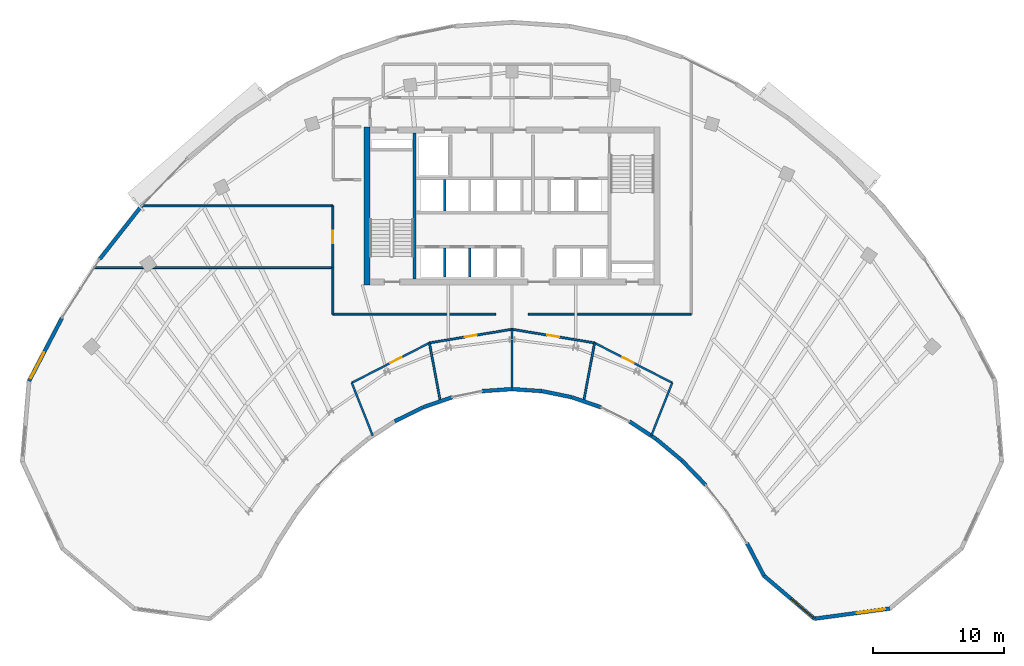
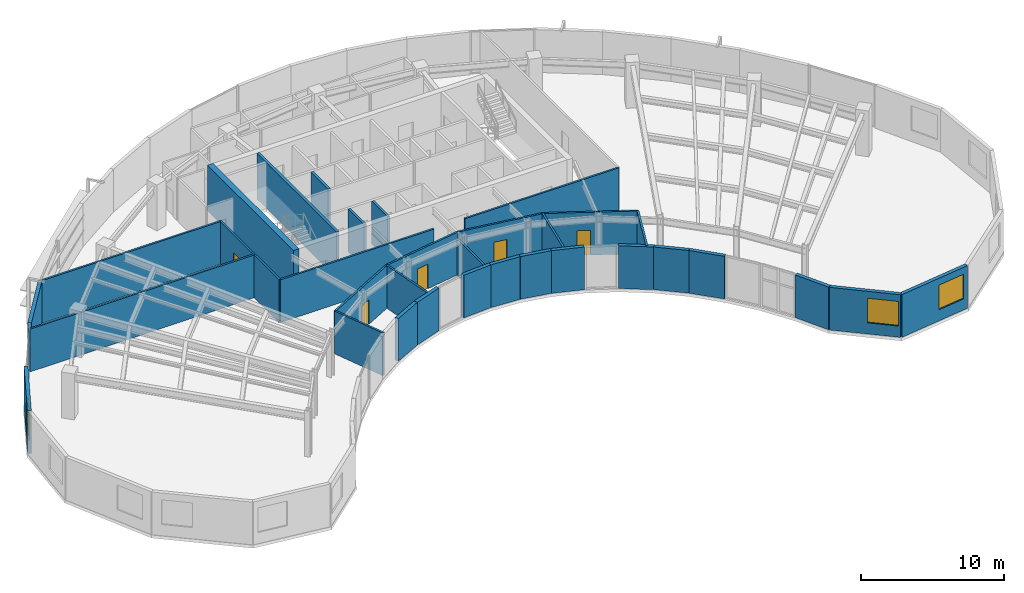
# One storey, part 8 of 13: 34 walls, 5 doors, 3 windows, 8 openings.
"""IFC4 building model written with IfcOpenShell, lengths in metres."""

from ifc_helpers import new_model, si_unit, direction, frame, frame_2d, origin, place, context, subcontext, project, spatial, rectangle, extrude, source, transform, mapped, material, layer, layer_set, type_object, type_shapes, element, fill, save


model = new_model("IFC4")

# Units and contexts
model_context = context("Model", 3, precision=1e-05, world=origin(), true_north=direction((0.0, 1.0)))
body_context = subcontext(model_context, "Body", "Model", "MODEL_VIEW")
ifc_project = project(units=[si_unit("LENGTHUNIT", "METRE"), si_unit("AREAUNIT", "SQUARE_METRE"), si_unit("VOLUMEUNIT", "CUBIC_METRE"), si_unit("PLANEANGLEUNIT", "RADIAN"), si_unit("MASSUNIT", "GRAM", prefix="KILO")], contexts=[model_context])

# Site, building, storey
site_placement = place(None, origin())
site = spatial("IfcSite", under=ifc_project, at=site_placement, CompositionType="ELEMENT")
building_placement = place(site_placement, origin())
building = spatial("IfcBuilding", under=site, at=building_placement, Name="Breltana Convention Tower", CompositionType="ELEMENT")
storey_placement = place(building_placement, frame((0.0, 0.0, 204.0)))
storey = spatial("IfcBuildingStorey", under=building, at=storey_placement, Name="L49", CompositionType="ELEMENT", Elevation=204.0)

# Walls
ifc_material_1 = material(Name="Concrete C60/75", Category="concrete")
ifc_layer_1 = layer(ifc_material_1, 0.449951171875, Name="Concrete C60/75")
ifc_layer_set_1 = layer_set([ifc_layer_1], Name="Concrete C60/75")
wall_type_1 = type_object("IfcWallType", Name="SW-CORE-450", PredefinedType="SHEAR", material=ifc_layer_set_1)
shared_shape_1 = source(origin(), body_context, "Body", "SweptSolid", [
    extrude(rectangle(XDim=12.0, YDim=0.449951171875, at=frame_2d((6.0, 0.0))), origin(), (0.0, 0.0, 1.0), 3.89990234375),
])
wall_1_placement = place(storey_placement, frame((36.97509765625, 60.199951171875, 0.0), z_axis=(0.0, 0.0, 1.0), x_axis=(0.0, 1.0, 0.0)))
element("IfcWall", 1, at=wall_1_placement, inside=storey, type_object=wall_type_1, Name="L49 West Core Shear Wall", PredefinedType="SHEAR", context=body_context, shape_type="MappedRepresentation", body=[
    mapped(shared_shape_1, transform((0.0, 0.0, 0.0), scale=1.0)),
])
ifc_material_2 = material(Name="Concrete C50/60", Category="concrete")
ifc_layer_2 = layer(ifc_material_2, 0.39990234375, Name="Concrete C50/60")
ifc_layer_set_2 = layer_set([ifc_layer_2], Name="Concrete C50/60")
wall_type_2 = type_object("IfcWallType", Name="SW-CORE-400", PredefinedType="SHEAR", material=ifc_layer_set_2)
shared_shape_2 = source(origin(), body_context, "Body", "SweptSolid", [
    extrude(rectangle(XDim=11.10009765625, YDim=0.219970703125, at=frame_2d((5.550048828125, 0.0))), origin(), (0.0, 0.0, 1.0), 3.89990234375),
])
wall_2_placement = place(storey_placement, frame((40.580078125, 60.64990234375, 0.0), z_axis=(0.0, 0.0, 1.0), x_axis=(0.0, 1.0, 0.0)))
element("IfcWall", 2, at=wall_2_placement, inside=storey, type_object=wall_type_2, Name="L49 Core West Stair Spine Wall", PredefinedType="SHEAR", context=body_context, shape_type="MappedRepresentation", body=[
    mapped(shared_shape_2, transform((0.0, 0.0, 0.0), scale=1.0)),
])

# Wall, opening, window
ifc_material_3 = material(Name="Limestone Buff Insulated Wall", Category="masonry")
ifc_layer_3 = layer(ifc_material_3, 0.280029296875, Name="Limestone Buff Insulated Wall")
ifc_layer_set_3 = layer_set([ifc_layer_3], Name="Limestone Buff Insulated Wall")
wall_type_3 = type_object("IfcWallType", Name="WL-EXT-NOSE-280", PredefinedType="SOLIDWALL", material=ifc_layer_set_3)
shared_shape_3 = source(origin(), body_context, "Body", "SweptSolid", [
    extrude(rectangle(XDim=5.771240234375, YDim=0.280029296875, at=frame_2d((2.8857421875, 0.0))), origin(), (0.0, 0.0, 1.0), 3.639892578125),
])
wall_3_placement = place(storey_placement, frame((76.74951171875, 35.559814453125, 0.0), z_axis=(0.0, 0.0, 1.0), x_axis=(-0.990933615537, -0.134352408237, 0.0)))
wall_3 = element("IfcWall", 3, at=wall_3_placement, inside=storey, type_object=wall_type_3, Name="L49 curved limestone nose wall E4", PredefinedType="SOLIDWALL", context=body_context, shape_type="MappedRepresentation", body=[
    mapped(shared_shape_3, transform((0.0, 0.0, 0.0), scale=1.0)),
])
opening_1_placement = place(wall_3_placement, frame((0.343017578125, 0.0, 0.949951171875)))
opening_1 = element("IfcOpeningElement", 4, at=opening_1_placement, cuts=wall_3, Name="Opening W-03", PredefinedType="OPENING", context=body_context, shape_type="SweptSolid", body=[
    extrude(rectangle(XDim=2.199951171875, YDim=2.10009765625, at=frame_2d((1.10009765625, 1.050048828125))), frame((0.0, 0.14990234375, 0.0), z_axis=(0.0, -1.0, 0.0), x_axis=(1.0, 0.0, 0.0)), (0.0, 0.0, 1.0), 0.300048828125),
])
ifc_material_4 = material(Name="Glass Low-E Insulated Window", Category="glass")
window_type = type_object("IfcWindowType", Name="WN-NOSE-2200X2100", PartitioningType="TRIPLE_PANEL_VERTICAL", PredefinedType="WINDOW", material=ifc_material_4)
shared_shape_4 = source(origin(), body_context, "Body", "SweptSolid", [
    extrude(rectangle(XDim=2.199951171875, YDim=2.10009765625, at=frame_2d((1.10009765625, 1.050048828125))), frame((0.0, 0.030029296875, 0.0), z_axis=(0.0, -1.0, 0.0), x_axis=(1.0, 0.0, 0.0)), (0.0, 0.0, 1.0), 0.06005859375),
])
type_shapes(window_type, [shared_shape_4])
window_1_placement = place(opening_1_placement, origin())
window_1 = element("IfcWindow", 5, at=window_1_placement, inside=storey, type_object=window_type, Name="L49 nose window E4", OverallHeight=2.10009765625, OverallWidth=2.199951171875, PartitioningType="TRIPLE_PANEL_VERTICAL", PredefinedType="WINDOW", context=body_context, shape_type="MappedRepresentation", body=[
    mapped(shared_shape_4, transform((0.0, 0.0, 0.0), scale=1.0)),
])
fill(opening_1, window_1)

shared_shape_5 = source(origin(), body_context, "Body", "SweptSolid", [
    extrude(rectangle(XDim=5.051025390625, YDim=0.280029296875, at=frame_2d((2.525390625, 0.0))), origin(), (0.0, 0.0, 1.0), 3.639892578125),
])
wall_4_placement = place(storey_placement, frame((71.030517578125, 34.784423828125, 0.0), z_axis=(0.0, 0.0, 1.0), x_axis=(-0.761904731537, 0.647689107568, 0.0)))
wall_4 = element("IfcWall", 6, at=wall_4_placement, inside=storey, type_object=wall_type_3, Name="L49 curved limestone nose wall E5", PredefinedType="SOLIDWALL", context=body_context, shape_type="MappedRepresentation", body=[
    mapped(shared_shape_5, transform((0.0, 0.0, 0.0), scale=1.0)),
])
opening_2_placement = place(wall_4_placement, frame((0.16259765625, 0.0, 0.949951171875)))
opening_2 = element("IfcOpeningElement", 7, at=opening_2_placement, cuts=wall_4, Name="Opening W-03", PredefinedType="OPENING", context=body_context, shape_type="SweptSolid", body=[
    extrude(rectangle(XDim=2.199951171875, YDim=2.10009765625, at=frame_2d((1.10009765625, 1.050048828125))), frame((0.0, 0.14990234375, 0.0), z_axis=(0.0, -1.0, 0.0), x_axis=(1.0, 0.0, 0.0)), (0.0, 0.0, 1.0), 0.300048828125),
])
window_2_placement = place(opening_2_placement, origin())
window_2 = element("IfcWindow", 8, at=window_2_placement, inside=storey, type_object=window_type, Name="L49 nose window E5", OverallHeight=2.10009765625, OverallWidth=2.199951171875, PartitioningType="TRIPLE_PANEL_VERTICAL", PredefinedType="WINDOW", context=body_context, shape_type="MappedRepresentation", body=[
    mapped(shared_shape_4, transform((0.0, 0.0, 0.0), scale=1.0)),
])
fill(opening_2, window_2)

# Walls
shared_shape_6 = source(origin(), body_context, "Body", "SweptSolid", [
    extrude(rectangle(XDim=2.779296875, YDim=0.280029296875, at=frame_2d((1.3896484375, 0.0))), origin(), (0.0, 0.0, 1.0), 3.639892578125),
])
wall_5_placement = place(storey_placement, frame((67.18212890625, 38.055908203125, 0.0), z_axis=(0.0, 0.0, 1.0), x_axis=(-0.461770308601, 0.886999538948, 0.0)))
element("IfcWall", 9, at=wall_5_placement, inside=storey, type_object=wall_type_3, Name="L49 curved limestone nose wall E6", PredefinedType="SOLIDWALL", context=body_context, shape_type="MappedRepresentation", body=[
    mapped(shared_shape_6, transform((0.0, 0.0, 0.0), scale=1.0)),
])
shared_shape_7 = source(origin(), body_context, "Body", "SweptSolid", [
    extrude(rectangle(XDim=2.587646484375, YDim=0.280029296875, at=frame_2d((1.2939453125, 0.0))), origin(), (0.0, 0.0, 1.0), 3.639892578125),
])
wall_6_placement = place(storey_placement, frame((62.739501953125, 44.96630859375, 0.0), z_axis=(0.0, 0.0, 1.0), x_axis=(-0.694687114507, 0.719312041424, 0.0)))
element("IfcWall", 10, at=wall_6_placement, inside=storey, type_object=wall_type_3, Name="L49 curved limestone nose wall E7", PredefinedType="SOLIDWALL", context=body_context, shape_type="MappedRepresentation", body=[
    mapped(shared_shape_7, transform((0.0, 0.0, 0.0), scale=1.0)),
])
shared_shape_8 = source(origin(), body_context, "Body", "SweptSolid", [
    extrude(rectangle(XDim=2.51123046875, YDim=0.280029296875, at=frame_2d((1.255615234375, 0.0))), origin(), (0.0, 0.0, 1.0), 3.639892578125),
])
wall_7_placement = place(storey_placement, frame((60.927734375, 46.8408203125, 0.0), z_axis=(0.0, 0.0, 1.0), x_axis=(-0.767910416122, 0.640557251782, 0.0)))
element("IfcWall", 11, at=wall_7_placement, inside=storey, type_object=wall_type_3, Name="L49 curved limestone nose wall E8", PredefinedType="SOLIDWALL", context=body_context, shape_type="MappedRepresentation", body=[
    mapped(shared_shape_8, transform((0.0, 0.0, 0.0), scale=1.0)),
])
shared_shape_9 = source(origin(), body_context, "Body", "SweptSolid", [
    extrude(rectangle(XDim=2.440185546875, YDim=0.280029296875, at=frame_2d((1.22021484375, 0.0))), origin(), (0.0, 0.0, 1.0), 3.639892578125),
])
wall_8_placement = place(storey_placement, frame((58.98291015625, 48.461669921875, 0.0), z_axis=(0.0, 0.0, 1.0), x_axis=(-0.83598480459, 0.548752591333, 0.0)))
element("IfcWall", 12, at=wall_8_placement, inside=storey, type_object=wall_type_3, Name="L49 curved limestone nose wall E9", PredefinedType="SOLIDWALL", context=body_context, shape_type="MappedRepresentation", body=[
    mapped(shared_shape_9, transform((0.0, 0.0, 0.0), scale=1.0)),
])
shared_shape_10 = source(origin(), body_context, "Body", "SweptSolid", [
    extrude(rectangle(XDim=2.327880859375, YDim=0.280029296875, at=frame_2d((1.1640625, 0.0))), origin(), (0.0, 0.0, 1.0), 3.639892578125),
])
for number, where, z_axis, x_axis, name in (
    (13, (54.7724609375, 50.87646484375, 0.0), (0.0, 0.0, 1.0), (-0.944872545641, 0.32743834915, 0.0), "L49 curved limestone nose wall E10"),
    (14, (43.427001953125, 51.638671875, 0.0), (0.0, 0.0, 1.0), (-0.944872545641, -0.32743834915, 0.0), "L49 curved limestone nose wall E14"),
):
    element("IfcWall", number, at=place(storey_placement, frame(where, z_axis=z_axis, x_axis=x_axis)), inside=storey, type_object=wall_type_3, Name=name, PredefinedType="SOLIDWALL", context=body_context, shape_type="MappedRepresentation", body=[
        mapped(shared_shape_10, transform((0.0, 0.0, 0.0), scale=1.0)),
    ])
shared_shape_11 = source(origin(), body_context, "Body", "SweptSolid", [
    extrude(rectangle(XDim=2.2919921875, YDim=0.280029296875, at=frame_2d((1.14599609375, 0.0))), origin(), (0.0, 0.0, 1.0), 3.639892578125),
])
wall_9_placement = place(storey_placement, frame((52.55029296875, 51.64501953125, 0.0), z_axis=(0.0, 0.0, 1.0), x_axis=(-0.979635482689, 0.200784264963, 0.0)))
element("IfcWall", 15, at=wall_9_placement, inside=storey, type_object=wall_type_3, Name="L49 curved limestone nose wall E11", PredefinedType="SOLIDWALL", context=body_context, shape_type="MappedRepresentation", body=[
    mapped(shared_shape_11, transform((0.0, 0.0, 0.0), scale=1.0)),
])
shared_shape_12 = source(origin(), body_context, "Body", "SweptSolid", [
    extrude(rectangle(XDim=2.27392578125, YDim=0.280029296875, at=frame_2d((1.136962890625, 0.0))), origin(), (0.0, 0.0, 1.0), 3.639892578125),
])
for number, where, z_axis, x_axis, name in (
    (16, (50.281005859375, 52.108642578125, 0.0), (0.0, 0.0, 1.0), (-0.997702696995, 0.067744582138, 0.0), "L49 curved limestone nose wall E12"),
    (17, (47.98779296875, 52.2626953125, 0.0), (0.0, 0.0, 1.0), (-0.997702696995, -0.067744582138, 0.0), "L49 curved limestone nose wall E13"),
):
    element("IfcWall", number, at=place(storey_placement, frame(where, z_axis=z_axis, x_axis=x_axis)), inside=storey, type_object=wall_type_3, Name=name, PredefinedType="SOLIDWALL", context=body_context, shape_type="MappedRepresentation", body=[
        mapped(shared_shape_12, transform((0.0, 0.0, 0.0), scale=1.0)),
    ])
shared_shape_13 = source(origin(), body_context, "Body", "SweptSolid", [
    extrude(rectangle(XDim=2.377685546875, YDim=0.280029296875, at=frame_2d((1.18896484375, 0.0))), origin(), (0.0, 0.0, 1.0), 3.639892578125),
])
wall_10_placement = place(storey_placement, frame((41.20654296875, 50.86767578125, 0.0), z_axis=(0.0, 0.0, 1.0), x_axis=(-0.895941616831, -0.444171835252, 0.0)))
element("IfcWall", 18, at=wall_10_placement, inside=storey, type_object=wall_type_3, Name="L49 curved limestone nose wall E15", PredefinedType="SOLIDWALL", context=body_context, shape_type="MappedRepresentation", body=[
    mapped(shared_shape_13, transform((0.0, 0.0, 0.0), scale=1.0)),
])

# Wall, opening, window
shared_shape_14 = source(origin(), body_context, "Body", "SweptSolid", [
    extrude(rectangle(XDim=5.41552734375, YDim=0.280029296875, at=frame_2d((2.707763671875, 0.0))), origin(), (0.0, 0.0, 1.0), 3.639892578125),
])
wall_11_placement = place(storey_placement, frame((11.243896484375, 52.87353515625, 0.0), z_axis=(0.0, 0.0, 1.0), x_axis=(0.46177852435, 0.886995261796, 0.0)))
wall_11 = element("IfcWall", 19, at=wall_11_placement, inside=storey, type_object=wall_type_3, Name="L49 curved limestone nose wall W7", PredefinedType="SOLIDWALL", context=body_context, shape_type="MappedRepresentation", body=[
    mapped(shared_shape_14, transform((0.0, 0.0, 0.0), scale=1.0)),
])
opening_3_placement = place(wall_11_placement, frame((0.25390625, 0.0, 0.949951171875)))
opening_3 = element("IfcOpeningElement", 20, at=opening_3_placement, cuts=wall_11, Name="Opening W-03", PredefinedType="OPENING", context=body_context, shape_type="SweptSolid", body=[
    extrude(rectangle(XDim=2.199951171875, YDim=2.10009765625, at=frame_2d((1.10009765625, 1.050048828125))), frame((0.0, 0.14990234375, 0.0), z_axis=(0.0, -1.0, 0.0), x_axis=(1.0, 0.0, 0.0)), (0.0, 0.0, 1.0), 0.300048828125),
])
window_3_placement = place(opening_3_placement, origin())
window_3 = element("IfcWindow", 21, at=window_3_placement, inside=storey, type_object=window_type, Name="L49 nose window W7", OverallHeight=2.10009765625, OverallWidth=2.199951171875, PartitioningType="TRIPLE_PANEL_VERTICAL", PredefinedType="WINDOW", context=body_context, shape_type="MappedRepresentation", body=[
    mapped(shared_shape_4, transform((0.0, 0.0, 0.0), scale=1.0)),
])
fill(opening_3, window_3)

# Walls
shared_shape_15 = source(origin(), body_context, "Body", "SweptSolid", [
    extrude(rectangle(XDim=5.153076171875, YDim=0.280029296875, at=frame_2d((2.57666015625, 0.0))), origin(), (0.0, 0.0, 1.0), 3.639892578125),
])
wall_12_placement = place(storey_placement, frame((16.609130859375, 62.1396484375, 0.0), z_axis=(0.0, 0.0, 1.0), x_axis=(0.618179283891, 0.786037132054, 0.0)))
element("IfcWall", 22, at=wall_12_placement, inside=storey, type_object=wall_type_3, Name="L49 curved limestone nose wall E20", PredefinedType="SOLIDWALL", context=body_context, shape_type="MappedRepresentation", body=[
    mapped(shared_shape_15, transform((0.0, 0.0, 0.0), scale=1.0)),
])
ifc_material_5 = material(Name="Autoclaved Aerated Concrete Block", Category="concrete")
ifc_layer_4 = layer(ifc_material_5, 0.199951171875, Name="Autoclaved Aerated Concrete Block")
ifc_layer_set_4 = layer_set([ifc_layer_4], Name="Autoclaved Aerated Concrete Block")
wall_type_4 = type_object("IfcWallType", Name="WL-SHAFT-200", PredefinedType="SOLIDWALL", material=ifc_layer_set_4)
shared_shape_16 = source(origin(), body_context, "Body", "SweptSolid", [
    extrude(rectangle(XDim=2.39990234375, YDim=0.199951171875, at=frame_2d((1.199951171875, 0.0))), origin(), (0.0, 0.0, 1.0), 3.639892578125),
])
wall_13_placement = place(storey_placement, frame((42.8701171875, 65.800048828125, 0.0), z_axis=(0.0, 0.0, 1.0), x_axis=(0.0, 1.0, 0.0)))
element("IfcWall", 23, at=wall_13_placement, inside=storey, type_object=wall_type_4, Name="L49 interior partition W-L49-SH-M-DIV1", PredefinedType="SOLIDWALL", context=body_context, shape_type="MappedRepresentation", body=[
    mapped(shared_shape_16, transform((0.0, 0.0, 0.0), scale=1.0)),
])
shared_shape_17 = source(origin(), body_context, "Body", "SweptSolid", [
    extrude(rectangle(XDim=2.199951171875, YDim=0.199951171875, at=frame_2d((1.10009765625, 0.0))), origin(), (0.0, 0.0, 1.0), 3.639892578125),
])
for number, where, z_axis, x_axis, name in (
    (24, (42.8701171875, 60.800048828125, 0.0), (0.0, 0.0, 1.0), (0.0, 1.0, 0.0), "L49 interior partition W-L49-SH-S-DIV1"),
    (25, (44.77001953125, 60.800048828125, 0.0), (0.0, 0.0, 1.0), (0.0, 1.0, 0.0), "L49 interior partition W-L49-SH-S-DIV2"),
):
    element("IfcWall", number, at=place(storey_placement, frame(where, z_axis=z_axis, x_axis=x_axis)), inside=storey, type_object=wall_type_4, Name=name, PredefinedType="SOLIDWALL", context=body_context, shape_type="MappedRepresentation", body=[
        mapped(shared_shape_17, transform((0.0, 0.0, 0.0), scale=1.0)),
    ])

# Wall, opening, door
ifc_material_6 = material(Name="Gypsum Acoustic Drywall Partition")
ifc_layer_5 = layer(ifc_material_6, 0.14990234375, Name="Gypsum Acoustic Drywall Partition")
ifc_layer_set_5 = layer_set([ifc_layer_5], Name="Gypsum Acoustic Drywall Partition")
wall_type_5 = type_object("IfcWallType", Name="WL-PART-150", PredefinedType="PARTITIONING", material=ifc_layer_set_5)
shared_shape_18 = source(origin(), body_context, "Body", "SweptSolid", [
    extrude(rectangle(XDim=6.64794921875, YDim=0.14990234375, at=frame_2d((3.323974609375, 0.0))), origin(), (0.0, 0.0, 1.0), 3.639892578125),
])
wall_14_placement = place(storey_placement, frame((35.802978515625, 52.73828125, 0.0), z_axis=(0.0, 0.0, 1.0), x_axis=(0.889264330224, 0.457393649925, 0.0)))
wall_14 = element("IfcWall", 26, at=wall_14_placement, inside=storey, type_object=wall_type_5, Name="L49 interior partition W-L49-ES1-COR", PredefinedType="PARTITIONING", context=body_context, shape_type="MappedRepresentation", body=[
    mapped(shared_shape_18, transform((0.0, 0.0, 0.0), scale=1.0)),
])
opening_4_placement = place(wall_14_placement, frame((3.299072265625, 0.0, 0.0)))
opening_4 = element("IfcOpeningElement", 27, at=opening_4_placement, cuts=wall_14, Name="Opening D-17", PredefinedType="OPENING", context=body_context, shape_type="SweptSolid", body=[
    extrude(rectangle(XDim=0.949951171875, YDim=2.10009765625, at=frame_2d((0.47509765625, 1.050048828125))), frame((0.0, 0.0849609375, 0.0), z_axis=(0.0, -1.0, 0.0), x_axis=(1.0, 0.0, 0.0)), (0.0, 0.0, 1.0), 0.169921875),
])
ifc_material_7 = material(Name="Timber Oak Veneer Door", Category="wood")
door_type = type_object("IfcDoorType", Name="DR-INT-950", OperationType="NOTDEFINED", PredefinedType="DOOR", material=ifc_material_7)
shared_shape_19 = source(origin(), body_context, "Body", "SweptSolid", [
    extrude(rectangle(XDim=0.949951171875, YDim=2.10009765625, at=frame_2d((0.47509765625, 1.050048828125))), frame((0.0, 0.02490234375, 0.0), z_axis=(0.0, -1.0, 0.0), x_axis=(1.0, 0.0, 0.0)), (0.0, 0.0, 1.0), 0.050048828125),
])
type_shapes(door_type, [shared_shape_19])
door_1_placement = place(opening_4_placement, origin())
door_1 = element("IfcDoor", 28, at=door_1_placement, inside=storey, type_object=door_type, Name="L49 interior door D-L49-ES1", OperationType="SINGLE_SWING_LEFT", OverallHeight=2.10009765625, OverallWidth=0.949951171875, PredefinedType="DOOR", context=body_context, shape_type="MappedRepresentation", body=[
    mapped(shared_shape_19, transform((0.0, 0.0, 0.0), scale=1.0)),
])
fill(opening_4, door_1)

wall_15_placement = place(storey_placement, frame((54.28515625, 55.779052734375, 0.0), z_axis=(0.0, 0.0, 1.0), x_axis=(0.889264330224, -0.457393649925, 0.0)))
wall_15 = element("IfcWall", 29, at=wall_15_placement, inside=storey, type_object=wall_type_5, Name="L49 interior partition W-L49-ES4-COR", PredefinedType="PARTITIONING", context=body_context, shape_type="MappedRepresentation", body=[
    mapped(shared_shape_18, transform((0.0, 0.0, 0.0), scale=1.0)),
])
opening_5_placement = place(wall_15_placement, frame((2.39892578125, 0.0, 0.0)))
opening_5 = element("IfcOpeningElement", 30, at=opening_5_placement, cuts=wall_15, Name="Opening D-17", PredefinedType="OPENING", context=body_context, shape_type="SweptSolid", body=[
    extrude(rectangle(XDim=0.949951171875, YDim=2.10009765625, at=frame_2d((0.47509765625, 1.050048828125))), frame((0.0, 0.0849609375, 0.0), z_axis=(0.0, -1.0, 0.0), x_axis=(1.0, 0.0, 0.0)), (0.0, 0.0, 1.0), 0.169921875),
])
door_2_placement = place(opening_5_placement, origin())
door_2 = element("IfcDoor", 31, at=door_2_placement, inside=storey, type_object=door_type, Name="L49 interior door D-L49-ES4", OperationType="SINGLE_SWING_RIGHT", OverallHeight=2.10009765625, OverallWidth=0.949951171875, PredefinedType="DOOR", context=body_context, shape_type="MappedRepresentation", body=[
    mapped(shared_shape_19, transform((0.0, 0.0, 0.0), scale=1.0)),
])
fill(opening_5, door_2)

# Walls
shared_shape_20 = source(origin(), body_context, "Body", "SweptSolid", [
    extrude(rectangle(XDim=4.3203125, YDim=0.14990234375, at=frame_2d((2.16015625, 0.0))), origin(), (0.0, 0.0, 1.0), 3.639892578125),
])
for number, where, z_axis, x_axis, name in (
    (32, (37.396484375, 48.72265625, 0.0), (0.0, 0.0, 1.0), (-0.368846295269, 0.929490403644, 0.0), "L49 interior partition W-L49-ES1-RA"),
    (33, (58.603515625, 48.72265625, 0.0), (0.0, 0.0, 1.0), (0.368846295269, 0.929490403644, 0.0), "L49 interior partition W-L49-ES4-RB"),
):
    element("IfcWall", number, at=place(storey_placement, frame(where, z_axis=z_axis, x_axis=x_axis)), inside=storey, type_object=wall_type_5, Name=name, PredefinedType="PARTITIONING", context=body_context, shape_type="MappedRepresentation", body=[
        mapped(shared_shape_20, transform((0.0, 0.0, 0.0), scale=1.0)),
    ])
shared_shape_21 = source(origin(), body_context, "Body", "SweptSolid", [
    extrude(rectangle(XDim=4.51318359375, YDim=0.14990234375, at=frame_2d((2.256591796875, 0.0))), origin(), (0.0, 0.0, 1.0), 3.639892578125),
])
for number, where, z_axis, x_axis, name in (
    (34, (42.54052734375, 51.342041015625, 0.0), (0.0, 0.0, 1.0), (-0.182949257828, 0.983122357115, 0.0), "L49 interior partition W-L49-ES1-RB"),
    (35, (53.45947265625, 51.342041015625, 0.0), (0.0, 0.0, 1.0), (0.182949257828, 0.983122357115, 0.0), "L49 interior partition W-L49-ES3-RB"),
):
    element("IfcWall", number, at=place(storey_placement, frame(where, z_axis=z_axis, x_axis=x_axis)), inside=storey, type_object=wall_type_5, Name=name, PredefinedType="PARTITIONING", context=body_context, shape_type="MappedRepresentation", body=[
        mapped(shared_shape_21, transform((0.0, 0.0, 0.0), scale=1.0)),
    ])

# Wall, opening, door
shared_shape_22 = source(origin(), body_context, "Body", "SweptSolid", [
    extrude(rectangle(XDim=6.36962890625, YDim=0.14990234375, at=frame_2d((3.184814453125, 0.0))), origin(), (0.0, 0.0, 1.0), 3.639892578125),
])
wall_16_placement = place(storey_placement, frame((41.71484375, 55.779052734375, 0.0), z_axis=(0.0, 0.0, 1.0), x_axis=(0.986731594983, 0.162359968783, 0.0)))
wall_16 = element("IfcWall", 36, at=wall_16_placement, inside=storey, type_object=wall_type_5, Name="L49 interior partition W-L49-ES2-COR", PredefinedType="PARTITIONING", context=body_context, shape_type="MappedRepresentation", body=[
    mapped(shared_shape_22, transform((0.0, 0.0, 0.0), scale=1.0)),
])
opening_6_placement = place(wall_16_placement, frame((2.709716796875, 0.0, 0.0)))
opening_6 = element("IfcOpeningElement", 37, at=opening_6_placement, cuts=wall_16, Name="Opening D-17", PredefinedType="OPENING", context=body_context, shape_type="SweptSolid", body=[
    extrude(rectangle(XDim=0.949951171875, YDim=2.10009765625, at=frame_2d((0.47509765625, 1.050048828125))), frame((0.0, 0.0849609375, 0.0), z_axis=(0.0, -1.0, 0.0), x_axis=(1.0, 0.0, 0.0)), (0.0, 0.0, 1.0), 0.169921875),
])
door_3_placement = place(opening_6_placement, origin())
door_3 = element("IfcDoor", 38, at=door_3_placement, inside=storey, type_object=door_type, Name="L49 interior door D-L49-ES2", OperationType="SINGLE_SWING_RIGHT", OverallHeight=2.10009765625, OverallWidth=0.949951171875, PredefinedType="DOOR", context=body_context, shape_type="MappedRepresentation", body=[
    mapped(shared_shape_19, transform((0.0, 0.0, 0.0), scale=1.0)),
])
fill(opening_6, door_3)

wall_17_placement = place(storey_placement, frame((48.0, 56.813232421875, 0.0), z_axis=(0.0, 0.0, 1.0), x_axis=(0.986731594983, -0.162359968783, 0.0)))
wall_17 = element("IfcWall", 39, at=wall_17_placement, inside=storey, type_object=wall_type_5, Name="L49 interior partition W-L49-ES3-COR", PredefinedType="PARTITIONING", context=body_context, shape_type="MappedRepresentation", body=[
    mapped(shared_shape_22, transform((0.0, 0.0, 0.0), scale=1.0)),
])
opening_7_placement = place(wall_17_placement, frame((2.709716796875, 0.0, 0.0)))
opening_7 = element("IfcOpeningElement", 40, at=opening_7_placement, cuts=wall_17, Name="Opening D-17", PredefinedType="OPENING", context=body_context, shape_type="SweptSolid", body=[
    extrude(rectangle(XDim=0.949951171875, YDim=2.10009765625, at=frame_2d((0.47509765625, 1.050048828125))), frame((0.0, 0.0849609375, 0.0), z_axis=(0.0, -1.0, 0.0), x_axis=(1.0, 0.0, 0.0)), (0.0, 0.0, 1.0), 0.169921875),
])
door_4_placement = place(opening_7_placement, origin())
door_4 = element("IfcDoor", 41, at=door_4_placement, inside=storey, type_object=door_type, Name="L49 interior door D-L49-ES3", OperationType="SINGLE_SWING_LEFT", OverallHeight=2.10009765625, OverallWidth=0.949951171875, PredefinedType="DOOR", context=body_context, shape_type="MappedRepresentation", body=[
    mapped(shared_shape_19, transform((0.0, 0.0, 0.0), scale=1.0)),
])
fill(opening_7, door_4)

# Walls
shared_shape_23 = source(origin(), body_context, "Body", "SweptSolid", [
    extrude(rectangle(XDim=4.54052734375, YDim=0.14990234375, at=frame_2d((2.270263671875, 0.0))), origin(), (0.0, 0.0, 1.0), 3.0849609375),
])
wall_18_placement = place(storey_placement, frame((48.0, 52.272705078125, 0.0), z_axis=(0.0, 0.0, 1.0), x_axis=(0.0, 1.0, 0.0)))
element("IfcWall", 42, at=wall_18_placement, inside=storey, type_object=wall_type_5, Name="L49 interior partition W-L49-ES2-RB", PredefinedType="PARTITIONING", context=body_context, shape_type="MappedRepresentation", body=[
    mapped(shared_shape_23, transform((0.0, 0.0, 0.0), scale=1.0)),
])
shared_shape_24 = source(origin(), body_context, "Body", "SweptSolid", [
    extrude(rectangle(XDim=12.389892578125, YDim=0.14990234375, at=frame_2d((6.19482421875, 0.0))), origin(), (0.0, 0.0, 1.0), 3.639892578125),
])
for number, where, z_axis, x_axis, name in (
    (43, (34.360107421875, 57.9599609375, 0.0), (0.0, 0.0, 1.0), (1.0, 0.0, 0.0), "L49 interior partition W-L49-Z45-CSW"),
    (44, (49.25, 57.9599609375, 0.0), (0.0, 0.0, 1.0), (1.0, 0.0, 0.0), "L49 interior partition W-L49-Z45-CSE"),
):
    element("IfcWall", number, at=place(storey_placement, frame(where, z_axis=z_axis, x_axis=x_axis)), inside=storey, type_object=wall_type_5, Name=name, PredefinedType="PARTITIONING", context=body_context, shape_type="MappedRepresentation", body=[
        mapped(shared_shape_24, transform((0.0, 0.0, 0.0), scale=1.0)),
    ])
shared_shape_25 = source(origin(), body_context, "Body", "SweptSolid", [
    extrude(rectangle(XDim=18.149658203125, YDim=0.14990234375, at=frame_2d((9.07470703125, 0.0))), origin(), (0.0, 0.0, 1.0), 3.639892578125),
])
wall_19_placement = place(storey_placement, frame((16.21044921875, 61.5, 0.0), z_axis=(0.0, 0.0, 1.0), x_axis=(1.0, 0.0, 0.0)))
element("IfcWall", 45, at=wall_19_placement, inside=storey, type_object=wall_type_5, Name="L49 interior partition W-L49-EXW1-N", PredefinedType="PARTITIONING", context=body_context, shape_type="MappedRepresentation", body=[
    mapped(shared_shape_25, transform((0.0, 0.0, 0.0), scale=1.0)),
])
shared_shape_26 = source(origin(), body_context, "Body", "SweptSolid", [
    extrude(rectangle(XDim=3.5400390625, YDim=0.14990234375, at=frame_2d((1.77001953125, 0.0))), origin(), (0.0, 0.0, 1.0), 3.639892578125),
])
wall_20_placement = place(storey_placement, frame((34.360107421875, 57.9599609375, 0.0), z_axis=(0.0, 0.0, 1.0), x_axis=(0.0, 1.0, 0.0)))
element("IfcWall", 46, at=wall_20_placement, inside=storey, type_object=wall_type_5, Name="L49 interior partition W-L49-EXW1-ENT", PredefinedType="PARTITIONING", context=body_context, shape_type="MappedRepresentation", body=[
    mapped(shared_shape_26, transform((0.0, 0.0, 0.0), scale=1.0)),
])
shared_shape_27 = source(origin(), body_context, "Body", "SweptSolid", [
    extrude(rectangle(XDim=14.542236328125, YDim=0.14990234375, at=frame_2d((7.27099609375, 0.0))), origin(), (0.0, 0.0, 1.0), 3.639892578125),
])
wall_21_placement = place(storey_placement, frame((19.81787109375, 66.199951171875, 0.0), z_axis=(0.0, 0.0, 1.0), x_axis=(1.0, 0.0, 0.0)))
element("IfcWall", 47, at=wall_21_placement, inside=storey, type_object=wall_type_5, Name="L49 interior partition W-L49-EXW2-N", PredefinedType="PARTITIONING", context=body_context, shape_type="MappedRepresentation", body=[
    mapped(shared_shape_27, transform((0.0, 0.0, 0.0), scale=1.0)),
])

# Wall, opening, door
shared_shape_28 = source(origin(), body_context, "Body", "SweptSolid", [
    extrude(rectangle(XDim=4.699951171875, YDim=0.14990234375, at=frame_2d((2.35009765625, 0.0))), origin(), (0.0, 0.0, 1.0), 3.639892578125),
])
wall_22_placement = place(storey_placement, frame((34.360107421875, 61.5, 0.0), z_axis=(0.0, 0.0, 1.0), x_axis=(0.0, 1.0, 0.0)))
wall_22 = element("IfcWall", 48, at=wall_22_placement, inside=storey, type_object=wall_type_5, Name="L49 interior partition W-L49-EXW2-ENT", PredefinedType="PARTITIONING", context=body_context, shape_type="MappedRepresentation", body=[
    mapped(shared_shape_28, transform((0.0, 0.0, 0.0), scale=1.0)),
])
opening_8_placement = place(wall_22_placement, frame((1.875, 0.0, 0.0)))
opening_8 = element("IfcOpeningElement", 49, at=opening_8_placement, cuts=wall_22, Name="Opening D-17", PredefinedType="OPENING", context=body_context, shape_type="SweptSolid", body=[
    extrude(rectangle(XDim=0.949951171875, YDim=2.10009765625, at=frame_2d((0.47509765625, 1.050048828125))), frame((0.0, 0.0849609375, 0.0), z_axis=(0.0, -1.0, 0.0), x_axis=(1.0, 0.0, 0.0)), (0.0, 0.0, 1.0), 0.169921875),
])
door_5_placement = place(opening_8_placement, origin())
door_5 = element("IfcDoor", 50, at=door_5_placement, inside=storey, type_object=door_type, Name="L49 interior door D-L49-EXW2", OperationType="SINGLE_SWING_RIGHT", OverallHeight=2.10009765625, OverallWidth=0.949951171875, PredefinedType="DOOR", context=body_context, shape_type="MappedRepresentation", body=[
    mapped(shared_shape_19, transform((0.0, 0.0, 0.0), scale=1.0)),
])
fill(opening_8, door_5)

save(model, "model.ifc")
